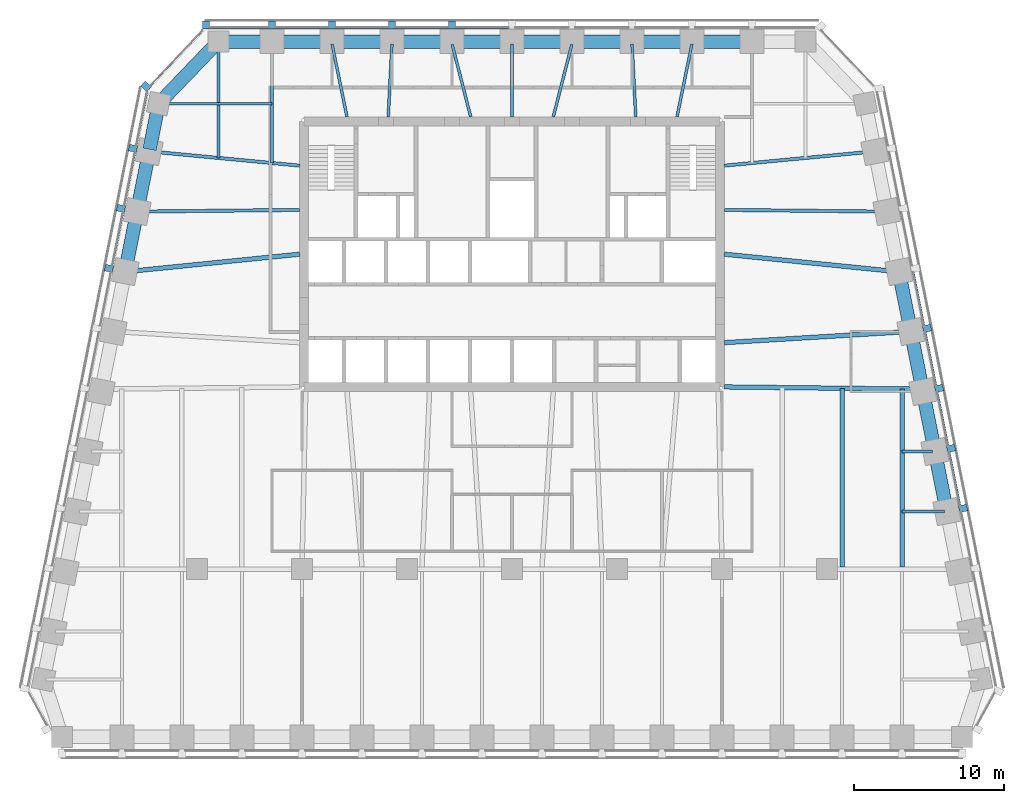
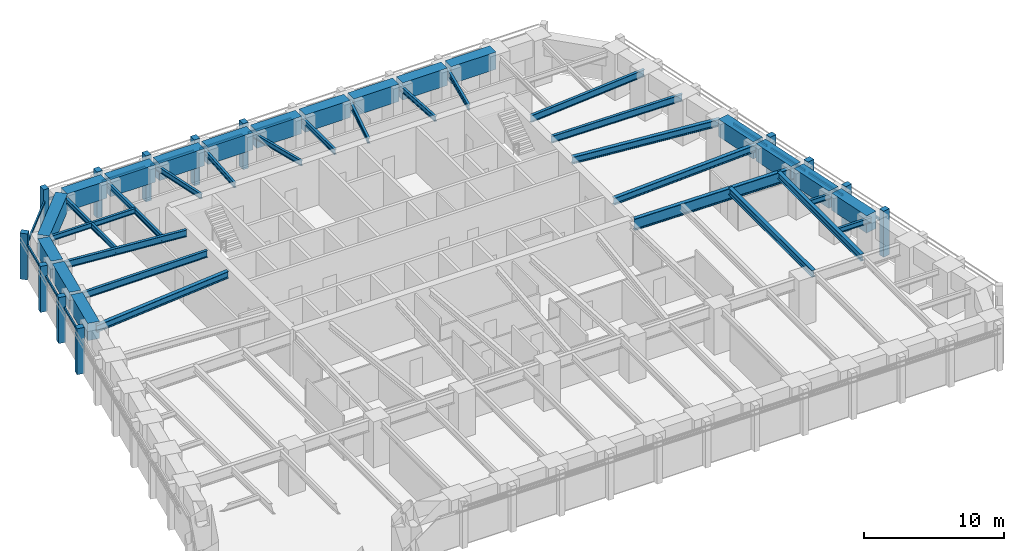
# One storey, part 3 of 10: 39 beams, 26 members, 4 elements without a shape of their own.
"""IFC4 building model written with IfcOpenShell, lengths in metres."""

from ifc_helpers import new_model, si_unit, direction, frame, origin, origin_2d, place, context, subcontext, project, spatial, rectangle, i_section, extrude, material, material_profile, profile_set, type_object, element, aggregate, save


model = new_model("IFC4")

# Units and contexts
model_context = context("Model", 3, precision=1e-05, world=origin(), true_north=direction((0.0, 1.0)))
body_context = subcontext(model_context, "Body", "Model", "MODEL_VIEW")
ifc_project = project(units=[si_unit("LENGTHUNIT", "METRE"), si_unit("AREAUNIT", "SQUARE_METRE"), si_unit("VOLUMEUNIT", "CUBIC_METRE"), si_unit("PLANEANGLEUNIT", "RADIAN"), si_unit("MASSUNIT", "GRAM", prefix="KILO")], contexts=[model_context])

# Site, building, storey
site_placement = place(None, origin())
site = spatial("IfcSite", under=ifc_project, at=site_placement, CompositionType="ELEMENT")
building_placement = place(site_placement, origin())
building = spatial("IfcBuilding", under=site, at=building_placement, Name="Isbrekke Arena Tower", CompositionType="ELEMENT")
storey_placement = place(building_placement, frame((0.0, 0.0, 182.0)))
storey = spatial("IfcBuildingStorey", under=building, at=storey_placement, Name="L41", CompositionType="ELEMENT", Elevation=182.0)

# Beams
ifc_material_1 = material(Name="Steel S355", Category="steel")
ifc_material_profile_1 = material_profile(ifc_material_1, i_section(OverallWidth=0.219970703125, OverallDepth=0.60009765625, WebThickness=0.011962890625, FlangeThickness=0.01904296875, FilletRadius=0.02392578125, at=origin_2d()), Name="IPE 600")
ifc_profile_set_1 = profile_set([ifc_material_profile_1], Name="Steel S355")
beam_type_1 = type_object("IfcBeamType", Name="B1 IPE 600", PredefinedType="BEAM", material=ifc_profile_set_1)
beam_1_placement = place(storey_placement, frame((24.83984375, 17.838134765625, 3.550048828125), z_axis=(-0.999945299061, 0.010459392202, 0.0), x_axis=(-0.010459392202, -0.999945299061, 0.0)))
element("IfcBeam", 1, at=beam_1_placement, inside=storey, type_object=beam_type_1, Name="B1 beam E-E09 L41", PredefinedType="BEAM", context=body_context, shape_type="SweptSolid", body=[
    extrude(i_section(OverallWidth=0.219970703125, OverallDepth=0.60009765625, WebThickness=0.011962890625, FlangeThickness=0.01904296875, FilletRadius=0.02392578125, at=origin_2d()), origin(), (0.0, 0.0, 1.0), 10.6904296875),
])
for number, where, z_axis, x_axis, name in (
    (2, (24.03076171875, 21.837158203125, 3.550048828125), (-0.99553133081, -0.094431823952, 0.0), (0.094431823952, -0.99553133081, 0.0), "B1 beam E-E10 L41"),
    (3, (-24.03076171875, 21.837158203125, 3.550048828125), (0.99553133081, -0.094431823952, 0.0), (0.094431823952, 0.99553133081, 0.0), "B1 beam E-W02 L41"),
):
    element("IfcBeam", number, at=place(storey_placement, frame(where, z_axis=z_axis, x_axis=x_axis)), inside=storey, type_object=beam_type_1, Name=name, PredefinedType="BEAM", context=body_context, shape_type="SweptSolid", body=[
        extrude(i_section(OverallWidth=0.219970703125, OverallDepth=0.60009765625, WebThickness=0.011962890625, FlangeThickness=0.01904296875, FilletRadius=0.02392578125, at=origin_2d()), origin(), (0.0, 0.0, 1.0), 9.92529296875),
    ])
beam_2_placement = place(storey_placement, frame((-24.83984375, 17.838134765625, 3.550048828125), z_axis=(0.999945299061, 0.010459392202, 0.0), x_axis=(-0.010459392202, 0.999945299061, 0.0)))
element("IfcBeam", 4, at=beam_2_placement, inside=storey, type_object=beam_type_1, Name="B1 beam E-W03 L41", PredefinedType="BEAM", context=body_context, shape_type="SweptSolid", body=[
    extrude(i_section(OverallWidth=0.219970703125, OverallDepth=0.60009765625, WebThickness=0.011962890625, FlangeThickness=0.01904296875, FilletRadius=0.02392578125, at=origin_2d()), origin(), (0.0, 0.0, 1.0), 10.6904296875),
])
ifc_material_2 = material(Name="Steel S355", Category="steel")
ifc_material_profile_2 = material_profile(ifc_material_2, i_section(OverallWidth=0.18994140625, OverallDepth=0.449951171875, WebThickness=0.009521484375, FlangeThickness=0.0146484375, FilletRadius=0.02099609375, at=origin_2d()), Name="IPE 450")
ifc_profile_set_2 = profile_set([ifc_material_profile_2], Name="Steel S355")
beam_type_2 = type_object("IfcBeamType", Name="B2 IPE 450", PredefinedType="BEAM", material=ifc_profile_set_2)
beam_3_placement = place(storey_placement, frame((28.841064453125, -2.161865234375, 3.625), z_axis=(-1.0, 0.0, 0.0), x_axis=(0.0, -1.0, 0.0)))
element("IfcBeam", 5, at=beam_3_placement, inside=storey, type_object=beam_type_2, Name="B2 beam E-E04 L41", PredefinedType="BEAM", context=body_context, shape_type="SweptSolid", body=[
    extrude(i_section(OverallWidth=0.18994140625, OverallDepth=0.449951171875, WebThickness=0.009521484375, FlangeThickness=0.0146484375, FilletRadius=0.02099609375, at=origin_2d()), origin(), (0.0, 0.0, 1.0), 2.841064453125),
])
beam_4_placement = place(storey_placement, frame((28.041015625, 1.838134765625, 3.625), z_axis=(-1.0, 0.0, 0.0), x_axis=(0.0, -1.0, 0.0)))
element("IfcBeam", 6, at=beam_4_placement, inside=storey, type_object=beam_type_2, Name="B2 beam E-E05 L41", PredefinedType="BEAM", context=body_context, shape_type="SweptSolid", body=[
    extrude(i_section(OverallWidth=0.18994140625, OverallDepth=0.449951171875, WebThickness=0.009521484375, FlangeThickness=0.0146484375, FilletRadius=0.02099609375, at=origin_2d()), origin(), (0.0, 0.0, 1.0), 2.041015625),
])
beam_5_placement = place(storey_placement, frame((-23.40283203125, 25.029296875, 3.625), z_axis=(1.0, 0.0, 0.0), x_axis=(0.0, 1.0, 0.0)))
element("IfcBeam", 7, at=beam_5_placement, inside=storey, type_object=beam_type_2, Name="B2 beam E-W01 L41", PredefinedType="BEAM", context=body_context, shape_type="SweptSolid", body=[
    extrude(i_section(OverallWidth=0.18994140625, OverallDepth=0.449951171875, WebThickness=0.009521484375, FlangeThickness=0.0146484375, FilletRadius=0.02099609375, at=origin_2d()), origin(), (0.0, 0.0, 1.0), 7.40283203125),
])
ifc_material_3 = material(Name="Steel S355", Category="steel")
ifc_material_profile_3 = material_profile(ifc_material_3, i_section(OverallWidth=0.18994140625, OverallDepth=0.449951171875, WebThickness=0.009521484375, FlangeThickness=0.0146484375, FilletRadius=0.02099609375, at=origin_2d()), Name="IPE 450")
ifc_profile_set_3 = profile_set([ifc_material_profile_3], Name="Steel S355")
beam_type_3 = type_object("IfcBeamType", Name="B3 IPE 450", PredefinedType="BEAM", material=ifc_profile_set_3)
beam_6_placement = place(storey_placement, frame((-16.0, 29.02490234375, 3.625), z_axis=(0.0, -1.0, 0.0), x_axis=(1.0, 0.0, 0.0)))
element("IfcBeam", 8, at=beam_6_placement, inside=storey, type_object=beam_type_3, Name="B3 beam N-N10 L41", PredefinedType="BEAM", context=body_context, shape_type="SweptSolid", body=[
    extrude(i_section(OverallWidth=0.18994140625, OverallDepth=0.449951171875, WebThickness=0.009521484375, FlangeThickness=0.0146484375, FilletRadius=0.02099609375, at=origin_2d()), origin(), (0.0, 0.0, 1.0), 7.949462890625),
])
beam_7_placement = place(storey_placement, frame((-19.574951171875, 29.02490234375, 3.625), z_axis=(0.0, -1.0, 0.0), x_axis=(1.0, 0.0, 0.0)))
element("IfcBeam", 9, at=beam_7_placement, inside=storey, type_object=beam_type_3, Name="B3 beam N-N11 L41", PredefinedType="BEAM", context=body_context, shape_type="SweptSolid", body=[
    extrude(i_section(OverallWidth=0.18994140625, OverallDepth=0.449951171875, WebThickness=0.009521484375, FlangeThickness=0.0146484375, FilletRadius=0.02099609375, at=origin_2d()), origin(), (0.0, 0.0, 1.0), 7.6103515625),
])
beam_8_placement = place(storey_placement, frame((11.99609375, 29.00634765625, 3.625), z_axis=(-0.200924755878, -0.979606677435, 0.0), x_axis=(0.979606677435, -0.200924755878, 0.0)))
element("IfcBeam", 10, at=beam_8_placement, inside=storey, type_object=beam_type_3, Name="B3 beam N-N03 L41", PredefinedType="BEAM", context=body_context, shape_type="SweptSolid", body=[
    extrude(i_section(OverallWidth=0.18994140625, OverallDepth=0.449951171875, WebThickness=0.009521484375, FlangeThickness=0.0146484375, FilletRadius=0.02099609375, at=origin_2d()), origin(), (0.0, 0.0, 1.0), 4.95751953125),
])
beam_9_placement = place(storey_placement, frame((8.000244140625, 29.02001953125, 3.625), z_axis=(0.051216032312, -0.998687597817, 0.0), x_axis=(0.998687597817, 0.051216032312, 0.0)))
element("IfcBeam", 11, at=beam_9_placement, inside=storey, type_object=beam_type_3, Name="B3 beam N-N04 L41", PredefinedType="BEAM", context=body_context, shape_type="SweptSolid", body=[
    extrude(i_section(OverallWidth=0.18994140625, OverallDepth=0.449951171875, WebThickness=0.009521484375, FlangeThickness=0.0146484375, FilletRadius=0.02099609375, at=origin_2d()), origin(), (0.0, 0.0, 1.0), 4.87646484375),
])
beam_10_placement = place(storey_placement, frame((3.994140625, 29.002197265625, 3.625), z_axis=(-0.248368314686, -0.968665670012, 0.0), x_axis=(0.968665670012, -0.248368314686, 0.0)))
element("IfcBeam", 12, at=beam_10_placement, inside=storey, type_object=beam_type_3, Name="B3 beam N-N05 L41", PredefinedType="BEAM", context=body_context, shape_type="SweptSolid", body=[
    extrude(i_section(OverallWidth=0.18994140625, OverallDepth=0.449951171875, WebThickness=0.009521484375, FlangeThickness=0.0146484375, FilletRadius=0.02099609375, at=origin_2d()), origin(), (0.0, 0.0, 1.0), 5.00927734375),
])
beam_11_placement = place(storey_placement, frame((0.0, 29.02490234375, 3.625), z_axis=(0.0, -1.0, 0.0), x_axis=(1.0, 0.0, 0.0)))
element("IfcBeam", 13, at=beam_11_placement, inside=storey, type_object=beam_type_3, Name="B3 beam N-N06 L41", PredefinedType="BEAM", context=body_context, shape_type="SweptSolid", body=[
    extrude(i_section(OverallWidth=0.18994140625, OverallDepth=0.449951171875, WebThickness=0.009521484375, FlangeThickness=0.0146484375, FilletRadius=0.02099609375, at=origin_2d()), origin(), (0.0, 0.0, 1.0), 4.875),
])
beam_12_placement = place(storey_placement, frame((-3.994140625, 29.002197265625, 3.625), z_axis=(0.248368314686, -0.968665670012, 0.0), x_axis=(0.968665670012, 0.248368314686, 0.0)))
element("IfcBeam", 14, at=beam_12_placement, inside=storey, type_object=beam_type_3, Name="B3 beam N-N07 L41", PredefinedType="BEAM", context=body_context, shape_type="SweptSolid", body=[
    extrude(i_section(OverallWidth=0.18994140625, OverallDepth=0.449951171875, WebThickness=0.009521484375, FlangeThickness=0.0146484375, FilletRadius=0.02099609375, at=origin_2d()), origin(), (0.0, 0.0, 1.0), 5.00927734375),
])
beam_13_placement = place(storey_placement, frame((-8.000244140625, 29.02001953125, 3.625), z_axis=(-0.051216032312, -0.998687597817, 0.0), x_axis=(0.998687597817, -0.051216032312, 0.0)))
element("IfcBeam", 15, at=beam_13_placement, inside=storey, type_object=beam_type_3, Name="B3 beam N-N08 L41", PredefinedType="BEAM", context=body_context, shape_type="SweptSolid", body=[
    extrude(i_section(OverallWidth=0.18994140625, OverallDepth=0.449951171875, WebThickness=0.009521484375, FlangeThickness=0.0146484375, FilletRadius=0.02099609375, at=origin_2d()), origin(), (0.0, 0.0, 1.0), 4.87646484375),
])
beam_14_placement = place(storey_placement, frame((-11.99609375, 29.00634765625, 3.625), z_axis=(0.200924755878, -0.979606677435, 0.0), x_axis=(0.979606677435, 0.200924755878, 0.0)))
element("IfcBeam", 16, at=beam_14_placement, inside=storey, type_object=beam_type_3, Name="B3 beam N-N09 L41", PredefinedType="BEAM", context=body_context, shape_type="SweptSolid", body=[
    extrude(i_section(OverallWidth=0.18994140625, OverallDepth=0.449951171875, WebThickness=0.009521484375, FlangeThickness=0.0146484375, FilletRadius=0.02099609375, at=origin_2d()), origin(), (0.0, 0.0, 1.0), 4.95751953125),
])
ifc_material_4 = material(Name="Steel S355", Category="steel")
ifc_material_profile_4 = material_profile(ifc_material_4, i_section(OverallWidth=0.300048828125, OverallDepth=0.60009765625, WebThickness=0.015380859375, FlangeThickness=0.030029296875, FilletRadius=0.027099609375, at=origin_2d()), Name="HEB 600")
ifc_profile_set_4 = profile_set([ifc_material_profile_4], Name="Steel S355")
beam_type_4 = type_object("IfcBeamType", Name="B7 HEB 600", PredefinedType="BEAM", material=ifc_profile_set_4)
beam_15_placement = place(storey_placement, frame((22.0, -5.84912109375, 3.550048828125), z_axis=(0.0, 1.0, 0.0), x_axis=(-1.0, 0.0, 0.0)))
element("IfcBeam", 17, at=beam_15_placement, inside=storey, type_object=beam_type_4, Name="B7 beam C-M13 L41", PredefinedType="BEAM", context=body_context, shape_type="SweptSolid", body=[
    extrude(i_section(OverallWidth=0.300048828125, OverallDepth=0.60009765625, WebThickness=0.015380859375, FlangeThickness=0.030029296875, FilletRadius=0.027099609375, at=origin_2d()), origin(), (0.0, 0.0, 1.0), 11.91015625),
])
beam_16_placement = place(storey_placement, frame((26.0, -5.84912109375, 3.550048828125), z_axis=(0.0, 1.0, 0.0), x_axis=(-1.0, 0.0, 0.0)))
element("IfcBeam", 18, at=beam_16_placement, inside=storey, type_object=beam_type_4, Name="B7 beam C-M14 L41", PredefinedType="BEAM", context=body_context, shape_type="SweptSolid", body=[
    extrude(i_section(OverallWidth=0.300048828125, OverallDepth=0.60009765625, WebThickness=0.015380859375, FlangeThickness=0.030029296875, FilletRadius=0.027099609375, at=origin_2d()), origin(), (0.0, 0.0, 1.0), 11.864990234375),
])
beam_17_placement = place(storey_placement, frame((26.43212890625, 9.837646484375, 3.550048828125), z_axis=(-0.998201854902, -0.059942112659, 0.0), x_axis=(0.059942112659, -0.998201854902, 0.0)))
element("IfcBeam", 19, at=beam_17_placement, inside=storey, type_object=beam_type_4, Name="B7 beam E-E07 L41", PredefinedType="BEAM", context=body_context, shape_type="SweptSolid", body=[
    extrude(i_section(OverallWidth=0.300048828125, OverallDepth=0.60009765625, WebThickness=0.015380859375, FlangeThickness=0.030029296875, FilletRadius=0.027099609375, at=origin_2d()), origin(), (0.0, 0.0, 1.0), 12.304443359375),
])
for number, where, z_axis, x_axis, name in (
    (20, (25.6259765625, 13.83984375, 3.550048828125), (-0.994928891111, 0.100580821396, 0.0), (-0.100580821396, -0.994928891111, 0.0), "B7 beam E-E08 L41"),
    (21, (-25.6259765625, 13.83984375, 3.550048828125), (0.994928891111, 0.100580821396, 0.0), (-0.100580821396, 0.994928891111, 0.0), "B7 beam E-W04 L41"),
):
    element("IfcBeam", number, at=place(storey_placement, frame(where, z_axis=z_axis, x_axis=x_axis)), inside=storey, type_object=beam_type_4, Name=name, PredefinedType="BEAM", context=body_context, shape_type="SweptSolid", body=[
        extrude(i_section(OverallWidth=0.300048828125, OverallDepth=0.60009765625, WebThickness=0.015380859375, FlangeThickness=0.030029296875, FilletRadius=0.027099609375, at=origin_2d()), origin(), (0.0, 0.0, 1.0), 11.53466796875),
    ])

# Curtain wall, members
ifc_material_5 = material(Name="Glazed aluminium curtain wall", Category="aluminium")
curtain_wall_type = type_object("IfcCurtainWallType", Name="CWH TOWER CURTAIN WALL HIGH ZONE", PredefinedType="USERDEFINED", material=ifc_material_5)
curtain_wall_1_placement = place(storey_placement, origin())
curtain_wall_1 = element("IfcCurtainWall", 22, at=curtain_wall_1_placement, inside=storey, type_object=curtain_wall_type, Name="CWH curtain wall L41-E", ObjectType="TOWER CURTAIN WALL HIGH ZONE", PredefinedType="USERDEFINED")
ifc_material_6 = material(Name="Aluminium mullion, pale brick slip cladding", Category="masonry")
ifc_material_profile_5 = material_profile(ifc_material_6, rectangle(XDim=0.449951171875, YDim=0.550048828125, at=origin_2d()), Name="PIER 450X550")
ifc_profile_set_5 = profile_set([ifc_material_profile_5], Name="Aluminium mullion, pale brick slip cladding")
member_type_1 = type_object("IfcMemberType", Name="CWH-M PIER MULLION 450 x 550", PredefinedType="MULLION", material=ifc_profile_set_5)
member_1_placement = place(storey_placement, frame((30.069580078125, -1.946044921875, 0.0), z_axis=(0.0, 0.0, 1.0), x_axis=(-0.196116135138, 0.980580675691, 0.0)))
member_1 = element("IfcMember", 23, at=member_1_placement, type_object=member_type_1, Name="CWH-M mullion 3", PredefinedType="MULLION", context=body_context, shape_type="SweptSolid", body=[
    extrude(rectangle(XDim=0.449951171875, YDim=0.550048828125, at=origin_2d()), origin(), (0.0, 0.0, 1.0), 4.0),
])
member_2_placement = place(storey_placement, frame((29.269775390625, 2.053955078125, 0.0), z_axis=(0.0, 0.0, 1.0), x_axis=(-0.196116135138, 0.980580675691, 0.0)))
member_2 = element("IfcMember", 24, at=member_2_placement, type_object=member_type_1, Name="CWH-M mullion 4", PredefinedType="MULLION", context=body_context, shape_type="SweptSolid", body=[
    extrude(rectangle(XDim=0.449951171875, YDim=0.550048828125, at=origin_2d()), origin(), (0.0, 0.0, 1.0), 4.0),
])
member_3_placement = place(storey_placement, frame((28.4697265625, 6.053955078125, 0.0), z_axis=(0.0, 0.0, 1.0), x_axis=(-0.196116135138, 0.980580675691, 0.0)))
member_3 = element("IfcMember", 25, at=member_3_placement, type_object=member_type_1, Name="CWH-M mullion 5", PredefinedType="MULLION", context=body_context, shape_type="SweptSolid", body=[
    extrude(rectangle(XDim=0.449951171875, YDim=0.550048828125, at=origin_2d()), origin(), (0.0, 0.0, 1.0), 4.0),
])
member_4_placement = place(storey_placement, frame((27.669677734375, 10.053955078125, 0.0), z_axis=(0.0, 0.0, 1.0), x_axis=(-0.196116135138, 0.980580675691, 0.0)))
member_4 = element("IfcMember", 26, at=member_4_placement, type_object=member_type_1, Name="CWH-M mullion 6", PredefinedType="MULLION", context=body_context, shape_type="SweptSolid", body=[
    extrude(rectangle(XDim=0.449951171875, YDim=0.550048828125, at=origin_2d()), origin(), (0.0, 0.0, 1.0), 4.0),
])

curtain_wall_2_placement = place(storey_placement, origin())
curtain_wall_2 = element("IfcCurtainWall", 27, at=curtain_wall_2_placement, inside=storey, type_object=curtain_wall_type, Name="CWH curtain wall L41-N", ObjectType="TOWER CURTAIN WALL HIGH ZONE", PredefinedType="USERDEFINED")
member_5_placement = place(storey_placement, frame((-4.0, 30.27490234375, 0.0), z_axis=(0.0, 0.0, 1.0), x_axis=(-1.0, 0.0, 0.0)))
member_5 = element("IfcMember", 28, at=member_5_placement, type_object=member_type_1, Name="CWH-M mullion 6", PredefinedType="MULLION", context=body_context, shape_type="SweptSolid", body=[
    extrude(rectangle(XDim=0.449951171875, YDim=0.550048828125, at=origin_2d()), origin(), (0.0, 0.0, 1.0), 4.0),
])
member_6_placement = place(storey_placement, frame((-8.0, 30.27490234375, 0.0), z_axis=(0.0, 0.0, 1.0), x_axis=(-1.0, 0.0, 0.0)))
member_6 = element("IfcMember", 29, at=member_6_placement, type_object=member_type_1, Name="CWH-M mullion 7", PredefinedType="MULLION", context=body_context, shape_type="SweptSolid", body=[
    extrude(rectangle(XDim=0.449951171875, YDim=0.550048828125, at=origin_2d()), origin(), (0.0, 0.0, 1.0), 4.0),
])
member_7_placement = place(storey_placement, frame((-12.0, 30.27490234375, 0.0), z_axis=(0.0, 0.0, 1.0), x_axis=(-1.0, 0.0, 0.0)))
member_7 = element("IfcMember", 30, at=member_7_placement, type_object=member_type_1, Name="CWH-M mullion 8", PredefinedType="MULLION", context=body_context, shape_type="SweptSolid", body=[
    extrude(rectangle(XDim=0.449951171875, YDim=0.550048828125, at=origin_2d()), origin(), (0.0, 0.0, 1.0), 4.0),
])
member_8_placement = place(storey_placement, frame((-16.0, 30.27490234375, 0.0), z_axis=(0.0, 0.0, 1.0), x_axis=(-1.0, 0.0, 0.0)))
member_8 = element("IfcMember", 31, at=member_8_placement, type_object=member_type_1, Name="CWH-M mullion 9", PredefinedType="MULLION", context=body_context, shape_type="SweptSolid", body=[
    extrude(rectangle(XDim=0.449951171875, YDim=0.550048828125, at=origin_2d()), origin(), (0.0, 0.0, 1.0), 4.0),
])
member_9_placement = place(storey_placement, frame((-20.39990234375, 30.27490234375, 0.0), z_axis=(0.0, 0.0, 1.0), x_axis=(-1.0, 0.0, 0.0)))
member_9 = element("IfcMember", 32, at=member_9_placement, type_object=member_type_1, Name="CWH-M mullion 10", PredefinedType="MULLION", context=body_context, shape_type="SweptSolid", body=[
    extrude(rectangle(XDim=0.449951171875, YDim=0.550048828125, at=origin_2d()), origin(), (0.0, 0.0, 1.0), 4.0),
])

# Curtain wall, member
curtain_wall_3_placement = place(storey_placement, origin())
curtain_wall_3 = element("IfcCurtainWall", 33, at=curtain_wall_3_placement, inside=storey, type_object=curtain_wall_type, Name="CWH curtain wall L41-NW", ObjectType="TOWER CURTAIN WALL HIGH ZONE", PredefinedType="USERDEFINED")
member_10_placement = place(storey_placement, frame((-24.3994140625, 26.189453125, 0.0), z_axis=(0.0, 0.0, 1.0), x_axis=(-0.68874946192, -0.72499943359, 0.0)))
member_10 = element("IfcMember", 34, at=member_10_placement, type_object=member_type_1, Name="CWH-M mullion 1", PredefinedType="MULLION", context=body_context, shape_type="SweptSolid", body=[
    extrude(rectangle(XDim=0.449951171875, YDim=0.550048828125, at=origin_2d()), origin(), (0.0, 0.0, 1.0), 4.0),
])

# Curtain wall, members
curtain_wall_4_placement = place(storey_placement, origin())
curtain_wall_4 = element("IfcCurtainWall", 35, at=curtain_wall_4_placement, inside=storey, type_object=curtain_wall_type, Name="CWH curtain wall L41-W", ObjectType="TOWER CURTAIN WALL HIGH ZONE", PredefinedType="USERDEFINED")
member_11_placement = place(storey_placement, frame((-25.269775390625, 22.053955078125, 0.0), z_axis=(0.0, 0.0, 1.0), x_axis=(-0.196116135138, -0.980580675691, 0.0)))
member_11 = element("IfcMember", 36, at=member_11_placement, type_object=member_type_1, Name="CWH-M mullion 1", PredefinedType="MULLION", context=body_context, shape_type="SweptSolid", body=[
    extrude(rectangle(XDim=0.449951171875, YDim=0.550048828125, at=origin_2d()), origin(), (0.0, 0.0, 1.0), 4.0),
])
member_12_placement = place(storey_placement, frame((-26.069580078125, 18.053955078125, 0.0), z_axis=(0.0, 0.0, 1.0), x_axis=(-0.196116135138, -0.980580675691, 0.0)))
member_12 = element("IfcMember", 37, at=member_12_placement, type_object=member_type_1, Name="CWH-M mullion 2", PredefinedType="MULLION", context=body_context, shape_type="SweptSolid", body=[
    extrude(rectangle(XDim=0.449951171875, YDim=0.550048828125, at=origin_2d()), origin(), (0.0, 0.0, 1.0), 4.0),
])
member_13_placement = place(storey_placement, frame((-26.86962890625, 14.053955078125, 0.0), z_axis=(0.0, 0.0, 1.0), x_axis=(-0.196116135138, -0.980580675691, 0.0)))
member_13 = element("IfcMember", 38, at=member_13_placement, type_object=member_type_1, Name="CWH-M mullion 3", PredefinedType="MULLION", context=body_context, shape_type="SweptSolid", body=[
    extrude(rectangle(XDim=0.449951171875, YDim=0.550048828125, at=origin_2d()), origin(), (0.0, 0.0, 1.0), 4.0),
])

# Member
ifc_material_7 = material(Name="Aluminium transom", Category="aluminium")
ifc_material_profile_6 = material_profile(ifc_material_7, rectangle(XDim=0.1201171875, YDim=0.199951171875, at=origin_2d()), Name="TRANSOM 120X200")
ifc_profile_set_6 = profile_set([ifc_material_profile_6], Name="Aluminium transom")
member_type_2 = type_object("IfcMemberType", Name="CWH-T TRANSOM 120 x 200", PredefinedType="USERDEFINED", material=ifc_profile_set_6)
member_14_placement = place(storey_placement, frame((29.85400390625, -1.759765625, 3.0), z_axis=(-0.196154943734, 0.980572913173, 0.0), x_axis=(-0.980572913173, -0.196154943734, 0.0)))
member_14 = element("IfcMember", 39, at=member_14_placement, type_object=member_type_2, Name="CWH-T transom 4", ObjectType="TRANSOM", PredefinedType="USERDEFINED", context=body_context, shape_type="SweptSolid", body=[
    extrude(rectangle(XDim=0.1201171875, YDim=0.199951171875, at=origin_2d()), origin(), (0.0, 0.0, 1.0), 3.62939453125),
])

member_15_placement = place(storey_placement, frame((29.053955078125, 2.240234375, 3.0), z_axis=(-0.196090262229, 0.980585849918, 0.0), x_axis=(-0.980585849918, -0.196090262229, 0.0)))
member_15 = element("IfcMember", 40, at=member_15_placement, type_object=member_type_2, Name="CWH-T transom 5", ObjectType="TRANSOM", PredefinedType="USERDEFINED", context=body_context, shape_type="SweptSolid", body=[
    extrude(rectangle(XDim=0.1201171875, YDim=0.199951171875, at=origin_2d()), origin(), (0.0, 0.0, 1.0), 3.62939453125),
])

member_16_placement = place(storey_placement, frame((28.25390625, 6.240234375, 3.0), z_axis=(-0.196090262229, 0.980585849918, 0.0), x_axis=(-0.980585849918, -0.196090262229, 0.0)))
member_16 = element("IfcMember", 41, at=member_16_placement, type_object=member_type_2, Name="CWH-T transom 6", ObjectType="TRANSOM", PredefinedType="USERDEFINED", context=body_context, shape_type="SweptSolid", body=[
    extrude(rectangle(XDim=0.1201171875, YDim=0.199951171875, at=origin_2d()), origin(), (0.0, 0.0, 1.0), 3.62939453125),
])

member_17_placement = place(storey_placement, frame((27.453857421875, 10.240234375, 3.0), z_axis=(-0.196090262229, 0.980585849918, 0.0), x_axis=(-0.980585849918, -0.196090262229, 0.0)))
member_17 = element("IfcMember", 42, at=member_17_placement, type_object=member_type_2, Name="CWH-T transom 7", ObjectType="TRANSOM", PredefinedType="USERDEFINED", context=body_context, shape_type="SweptSolid", body=[
    extrude(rectangle(XDim=0.1201171875, YDim=0.199951171875, at=origin_2d()), origin(), (0.0, 0.0, 1.0), 3.62939453125),
])

aggregate(curtain_wall_1, [member_1, member_2, member_3, member_4, member_14, member_15, member_16, member_17])

member_18_placement = place(storey_placement, frame((-0.22509765625, 30.10009765625, 3.0), z_axis=(-1.0, 0.0, 0.0), x_axis=(0.0, -1.0, 0.0)))
member_18 = element("IfcMember", 43, at=member_18_placement, type_object=member_type_2, Name="CWH-T transom 6", ObjectType="TRANSOM", PredefinedType="USERDEFINED", context=body_context, shape_type="SweptSolid", body=[
    extrude(rectangle(XDim=0.1201171875, YDim=0.199951171875, at=origin_2d()), origin(), (0.0, 0.0, 1.0), 3.5498046875),
])

member_19_placement = place(storey_placement, frame((-4.22509765625, 30.10009765625, 3.0), z_axis=(-1.0, 0.0, 0.0), x_axis=(0.0, -1.0, 0.0)))
member_19 = element("IfcMember", 44, at=member_19_placement, type_object=member_type_2, Name="CWH-T transom 7", ObjectType="TRANSOM", PredefinedType="USERDEFINED", context=body_context, shape_type="SweptSolid", body=[
    extrude(rectangle(XDim=0.1201171875, YDim=0.199951171875, at=origin_2d()), origin(), (0.0, 0.0, 1.0), 3.5498046875),
])

member_20_placement = place(storey_placement, frame((-8.22509765625, 30.10009765625, 3.0), z_axis=(-1.0, 0.0, 0.0), x_axis=(0.0, -1.0, 0.0)))
member_20 = element("IfcMember", 45, at=member_20_placement, type_object=member_type_2, Name="CWH-T transom 8", ObjectType="TRANSOM", PredefinedType="USERDEFINED", context=body_context, shape_type="SweptSolid", body=[
    extrude(rectangle(XDim=0.1201171875, YDim=0.199951171875, at=origin_2d()), origin(), (0.0, 0.0, 1.0), 3.5498046875),
])

member_21_placement = place(storey_placement, frame((-12.22509765625, 30.10009765625, 3.0), z_axis=(-1.0, 0.0, 0.0), x_axis=(0.0, -1.0, 0.0)))
member_21 = element("IfcMember", 46, at=member_21_placement, type_object=member_type_2, Name="CWH-T transom 9", ObjectType="TRANSOM", PredefinedType="USERDEFINED", context=body_context, shape_type="SweptSolid", body=[
    extrude(rectangle(XDim=0.1201171875, YDim=0.199951171875, at=origin_2d()), origin(), (0.0, 0.0, 1.0), 3.5498046875),
])

member_22_placement = place(storey_placement, frame((-16.22509765625, 30.10009765625, 3.0), z_axis=(-1.0, 0.0, 0.0), x_axis=(0.0, -1.0, 0.0)))
member_22 = element("IfcMember", 47, at=member_22_placement, type_object=member_type_2, Name="CWH-T transom 10", ObjectType="TRANSOM", PredefinedType="USERDEFINED", context=body_context, shape_type="SweptSolid", body=[
    extrude(rectangle(XDim=0.1201171875, YDim=0.199951171875, at=origin_2d()), origin(), (0.0, 0.0, 1.0), 3.949951171875),
])

aggregate(curtain_wall_2, [member_5, member_6, member_7, member_8, member_9, member_18, member_19, member_20, member_21, member_22])

member_23_placement = place(storey_placement, frame((-20.62744140625, 29.90576171875, 3.0), z_axis=(-0.688734266994, -0.725013868466, 0.0), x_axis=(0.725013868466, -0.688734266994, 0.0)))
member_23 = element("IfcMember", 48, at=member_23_placement, type_object=member_type_2, Name="CWH-T transom 1", ObjectType="TRANSOM", PredefinedType="USERDEFINED", context=body_context, shape_type="SweptSolid", body=[
    extrude(rectangle(XDim=0.1201171875, YDim=0.199951171875, at=origin_2d()), origin(), (0.0, 0.0, 1.0), 5.067138671875),
])

aggregate(curtain_wall_3, [member_10, member_23])

member_24_placement = place(storey_placement, frame((-24.34228515625, 25.799072265625, 3.0), z_axis=(-0.196090262229, -0.980585849918, 0.0), x_axis=(0.980585849918, -0.196090262229, 0.0)))
member_24 = element("IfcMember", 49, at=member_24_placement, type_object=member_type_2, Name="CWH-T transom 1", ObjectType="TRANSOM", PredefinedType="USERDEFINED", context=body_context, shape_type="SweptSolid", body=[
    extrude(rectangle(XDim=0.1201171875, YDim=0.199951171875, at=origin_2d()), origin(), (0.0, 0.0, 1.0), 3.62939453125),
])

member_25_placement = place(storey_placement, frame((-25.14208984375, 21.799072265625, 3.0), z_axis=(-0.196154943734, -0.980572913173, 0.0), x_axis=(0.980572913173, -0.196154943734, 0.0)))
member_25 = element("IfcMember", 50, at=member_25_placement, type_object=member_type_2, Name="CWH-T transom 2", ObjectType="TRANSOM", PredefinedType="USERDEFINED", context=body_context, shape_type="SweptSolid", body=[
    extrude(rectangle(XDim=0.1201171875, YDim=0.199951171875, at=origin_2d()), origin(), (0.0, 0.0, 1.0), 3.62939453125),
])

member_26_placement = place(storey_placement, frame((-25.942138671875, 17.799072265625, 3.0), z_axis=(-0.196154943734, -0.980572913173, 0.0), x_axis=(0.980572913173, -0.196154943734, 0.0)))
member_26 = element("IfcMember", 51, at=member_26_placement, type_object=member_type_2, Name="CWH-T transom 3", ObjectType="TRANSOM", PredefinedType="USERDEFINED", context=body_context, shape_type="SweptSolid", body=[
    extrude(rectangle(XDim=0.1201171875, YDim=0.199951171875, at=origin_2d()), origin(), (0.0, 0.0, 1.0), 3.62939453125),
])

aggregate(curtain_wall_4, [member_11, member_12, member_13, member_24, member_25, member_26])

# Beams
ifc_material_8 = material(Name="Steel S355", Category="steel")
ifc_material_profile_7 = material_profile(ifc_material_8, i_section(OverallWidth=0.302001953125, OverallDepth=1.008056640625, WebThickness=0.02099609375, FlangeThickness=0.0400390625, FilletRadius=0.030029296875, at=origin_2d()), Name="HEM 1000")
ifc_profile_set_7 = profile_set([ifc_material_profile_7], Name="Steel S355")
beam_type_5 = type_object("IfcBeamType", Name="G2 HEM 1000", PredefinedType="BEAM", material=ifc_profile_set_7)
beam_18_placement = place(storey_placement, frame((14.14990234375, 6.14990234375, 3.345947265625), z_axis=(0.999935908299, -0.011321629528, 0.0), x_axis=(0.011321629528, 0.999935908299, 0.0)))
element("IfcBeam", 52, at=beam_18_placement, inside=storey, type_object=beam_type_5, Name="G2 beam G2-E L41", PredefinedType="BEAM", context=body_context, shape_type="SweptSolid", body=[
    extrude(i_section(OverallWidth=0.302001953125, OverallDepth=1.008056640625, WebThickness=0.02099609375, FlangeThickness=0.0400390625, FilletRadius=0.030029296875, at=origin_2d()), origin(), (0.0, 0.0, 1.0), 13.240234375),
])
ifc_material_9 = material(Name="Concrete B65 (C65/80)", Category="concrete")
ifc_material_profile_8 = material_profile(ifc_material_9, rectangle(XDim=0.89990234375, YDim=1.5, at=origin_2d()), Name="RC 900x1500")
ifc_profile_set_8 = profile_set([ifc_material_profile_8], Name="Concrete B65 (C65/80)")
beam_type_6 = type_object("IfcBeamType", Name="SB3 RC 900 x 1500", PredefinedType="SPANDREL", material=ifc_profile_set_8)
for number, where, z_axis, x_axis, name in (
    (53, (28.961669921875, -2.0146484375, 3.25), (-0.196128558387, 0.980578190959, 0.0), (-0.980578190959, -0.196128558387, 0.0), "SB3 spandrel E04-E05 L41"),
    (54, (28.16162109375, 1.9853515625, 3.25), (-0.196128558387, 0.980578190959, 0.0), (-0.980578190959, -0.196128558387, 0.0), "SB3 spandrel E05-E06 L41"),
    (55, (27.361572265625, 5.9853515625, 3.25), (-0.196128558387, 0.980578190959, 0.0), (-0.980578190959, -0.196128558387, 0.0), "SB3 spandrel E06-E07 L41"),
):
    element("IfcBeam", number, at=place(storey_placement, frame(where, z_axis=z_axis, x_axis=x_axis)), inside=storey, type_object=beam_type_6, Name=name, PredefinedType="SPANDREL", context=body_context, shape_type="SweptSolid", body=[
        extrude(rectangle(XDim=0.89990234375, YDim=1.5, at=origin_2d()), origin(), (0.0, 0.0, 1.0), 3.779296875),
    ])
beam_19_placement = place(storey_placement, frame((26.5615234375, 9.9853515625, 3.25), z_axis=(-0.1960664412, 0.980590613169, 0.0), x_axis=(-0.980590613169, -0.1960664412, 0.0)))
element("IfcBeam", 56, at=beam_19_placement, inside=storey, type_object=beam_type_6, Name="SB3 spandrel E07-E08 L41", PredefinedType="SPANDREL", context=body_context, shape_type="SweptSolid", body=[
    extrude(rectangle(XDim=0.89990234375, YDim=1.5, at=origin_2d()), origin(), (0.0, 0.0, 1.0), 3.779052734375),
])
for number, where, z_axis, x_axis, name in (
    (57, (15.85009765625, 29.175048828125, 3.25), (-1.0, 0.0, 0.0), (0.0, -1.0, 0.0), "SB3 spandrel N02-N03 L41"),
    (58, (11.85009765625, 29.175048828125, 3.25), (-1.0, 0.0, 0.0), (0.0, -1.0, 0.0), "SB3 spandrel N03-N04 L41"),
    (59, (7.85009765625, 29.175048828125, 3.25), (-1.0, 0.0, 0.0), (0.0, -1.0, 0.0), "SB3 spandrel N04-N05 L41"),
    (60, (3.85009765625, 29.175048828125, 3.25), (-1.0, 0.0, 0.0), (0.0, -1.0, 0.0), "SB3 spandrel N05-N06 L41"),
    (61, (-0.14990234375, 29.175048828125, 3.25), (-1.0, 0.0, 0.0), (0.0, -1.0, 0.0), "SB3 spandrel N06-N07 L41"),
    (62, (-4.14990234375, 29.175048828125, 3.25), (-1.0, 0.0, 0.0), (0.0, -1.0, 0.0), "SB3 spandrel N07-N08 L41"),
    (63, (-8.14990234375, 29.175048828125, 3.25), (-1.0, 0.0, 0.0), (0.0, -1.0, 0.0), "SB3 spandrel N08-N09 L41"),
    (64, (-12.14990234375, 29.175048828125, 3.25), (-1.0, 0.0, 0.0), (0.0, -1.0, 0.0), "SB3 spandrel N09-N10 L41"),
):
    element("IfcBeam", number, at=place(storey_placement, frame(where, z_axis=z_axis, x_axis=x_axis)), inside=storey, type_object=beam_type_6, Name=name, PredefinedType="SPANDREL", context=body_context, shape_type="SweptSolid", body=[
        extrude(rectangle(XDim=0.89990234375, YDim=1.5, at=origin_2d()), origin(), (0.0, 0.0, 1.0), 3.7001953125),
    ])
beam_20_placement = place(storey_placement, frame((-16.14990234375, 29.175048828125, 3.25), z_axis=(-1.0, 0.0, 0.0), x_axis=(0.0, -1.0, 0.0)))
element("IfcBeam", 65, at=beam_20_placement, inside=storey, type_object=beam_type_6, Name="SB3 spandrel N10-N11 L41", PredefinedType="SPANDREL", context=body_context, shape_type="SweptSolid", body=[
    extrude(rectangle(XDim=0.89990234375, YDim=1.5, at=origin_2d()), origin(), (0.0, 0.0, 1.0), 3.275146484375),
])
beam_21_placement = place(storey_placement, frame((-19.678955078125, 29.066650390625, 3.25), z_axis=(-0.692339547635, -0.721571861134, 0.0), x_axis=(0.721571861134, -0.692339547635, 0.0)))
element("IfcBeam", 66, at=beam_21_placement, inside=storey, type_object=beam_type_6, Name="SB3 spandrel N11-W01 L41", PredefinedType="SPANDREL", context=body_context, shape_type="SweptSolid", body=[
    extrude(rectangle(XDim=0.89990234375, YDim=1.5, at=origin_2d()), origin(), (0.0, 0.0, 1.0), 5.4453125),
])
beam_22_placement = place(storey_placement, frame((-23.582275390625, 24.882080078125, 3.25), z_axis=(-0.196116135138, -0.980580675691, 0.0), x_axis=(0.980580675691, -0.196116135138, 0.0)))
element("IfcBeam", 67, at=beam_22_placement, inside=storey, type_object=beam_type_6, Name="SB3 spandrel W01-W02 L41", PredefinedType="SPANDREL", context=body_context, shape_type="SweptSolid", body=[
    extrude(rectangle(XDim=0.89990234375, YDim=1.5, at=origin_2d()), origin(), (0.0, 0.0, 1.0), 2.9541015625),
])
for number, where, z_axis, x_axis, name in (
    (68, (-24.220458984375, 21.691162109375, 3.25), (-0.196128558387, -0.980578190959, 0.0), (0.980578190959, -0.196128558387, 0.0), "SB3 spandrel W02-W03 L41"),
    (69, (-25.0205078125, 17.691162109375, 3.25), (-0.196128558387, -0.980578190959, 0.0), (0.980578190959, -0.196128558387, 0.0), "SB3 spandrel W03-W04 L41"),
):
    element("IfcBeam", number, at=place(storey_placement, frame(where, z_axis=z_axis, x_axis=x_axis)), inside=storey, type_object=beam_type_6, Name=name, PredefinedType="SPANDREL", context=body_context, shape_type="SweptSolid", body=[
        extrude(rectangle(XDim=0.89990234375, YDim=1.5, at=origin_2d()), origin(), (0.0, 0.0, 1.0), 3.779296875),
    ])

save(model, "model.ifc")
